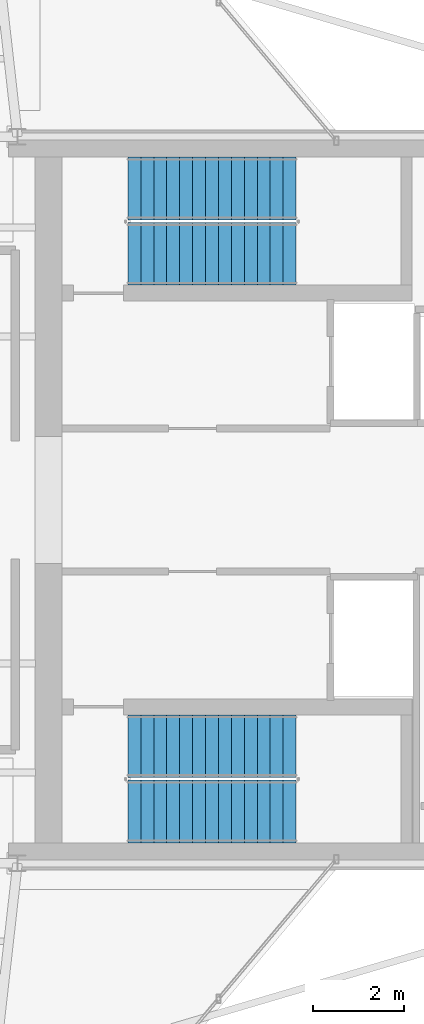
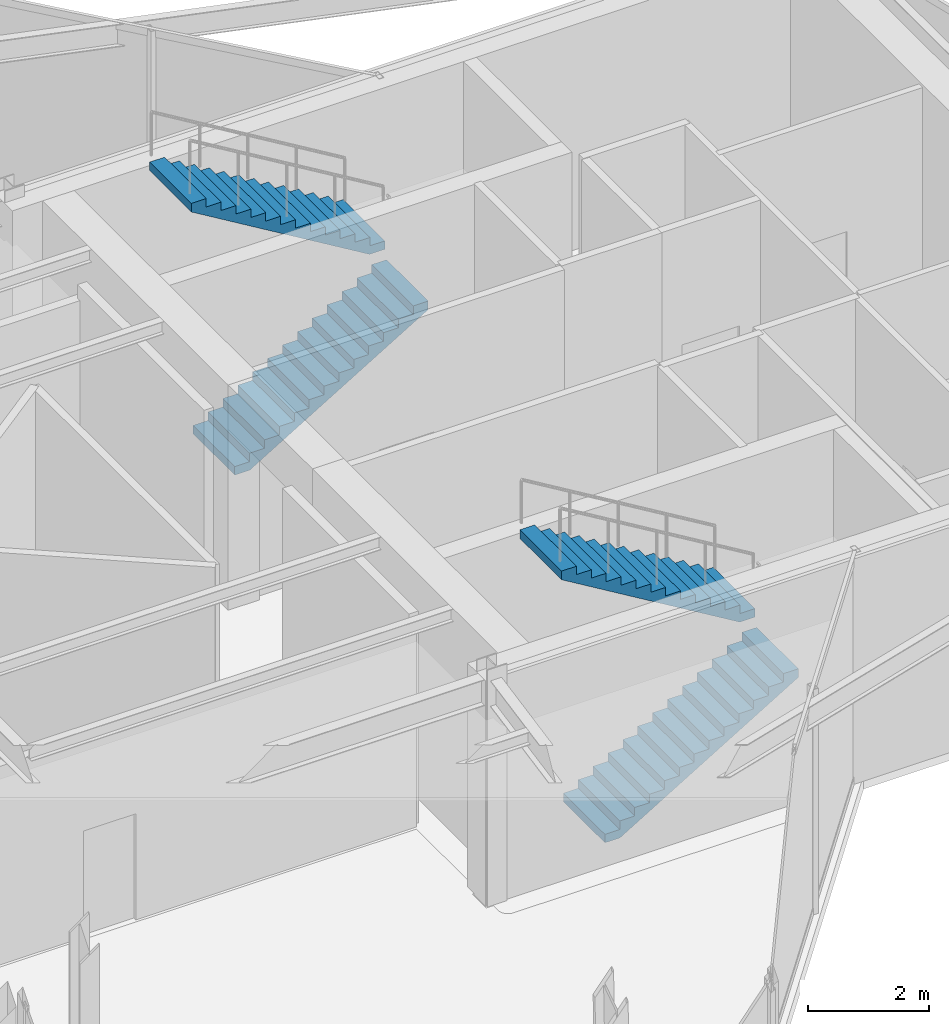
# One storey, part 11 of 15: 4 stair flights, 2 elements without a shape of their own.
"""IFC4 building model written with IfcOpenShell, lengths in metres."""

from ifc_helpers import new_model, si_unit, direction, frame, origin, place, context, subcontext, project, spatial, polyline, outline, extrude, material, type_object, element, aggregate, save


model = new_model("IFC4")

# Units and contexts
model_context = context("Model", 3, precision=1e-05, world=origin(), true_north=direction((0.0, 1.0)))
body_context = subcontext(model_context, "Body", "Model", "MODEL_VIEW")
ifc_project = project(units=[si_unit("LENGTHUNIT", "METRE"), si_unit("AREAUNIT", "SQUARE_METRE"), si_unit("VOLUMEUNIT", "CUBIC_METRE"), si_unit("PLANEANGLEUNIT", "RADIAN"), si_unit("MASSUNIT", "GRAM", prefix="KILO")], contexts=[model_context])

# Site, building, storey
site_placement = place(None, origin())
site = spatial("IfcSite", under=ifc_project, at=site_placement, CompositionType="ELEMENT")
building_placement = place(site_placement, origin())
building = spatial("IfcBuilding", under=site, at=building_placement, Name="Veymaron Broadcast Tower", CompositionType="ELEMENT")
storey_placement = place(building_placement, frame((0.0, 0.0, 262.050048828125)))
storey = spatial("IfcBuildingStorey", under=building, at=storey_placement, Name="L61", CompositionType="ELEMENT", Elevation=262.050048828125)

# Stair, stair flights
ifc_material_1 = material(Name="Concrete C50/60", Category="concrete")
stair_type_1 = type_object("IfcStairType", Name="STAIR-CORE-1", PredefinedType="HALF_TURN_STAIR", material=ifc_material_1)
stair_1_placement = place(storey_placement, origin())
stair_1 = element("IfcStair", 1, at=stair_1_placement, inside=storey, type_object=stair_type_1, Name="L61 North protected dog-leg exit stair ST1", PredefinedType="HALF_TURN_STAIR")
ifc_material_2 = material(Name="Precast concrete C50/60", Category="concrete")
stair_flight_type = type_object("IfcStairFlightType", Name="FLT-CORE-RC", PredefinedType="STRAIGHT", material=ifc_material_2)
stair_flight_1_placement = place(storey_placement, frame((41.429931640625, 29.419921875, 0.0), z_axis=(0.0, 0.0, 1.0), x_axis=(1.0, 0.0, 0.0)))
stair_flight_1 = element("IfcStairFlight", 2, at=stair_flight_1_placement, type_object=stair_flight_type, Name="ST1 flight 1", NumberOfRisers=14, NumberOfTreads=13, PredefinedType="STRAIGHT", RiserHeight=0.171428571, TreadLength=0.285, context=body_context, shape_type="SweptSolid", body=[
    extrude(outline(polyline([(0.0, 0.0), (0.0, 0.17138671875), (0.284912109375, 0.17138671875), (0.284912109375, 0.3427734375), (0.570068359375, 0.3427734375), (0.570068359375, 0.514404296875), (0.85498046875, 0.514404296875), (0.85498046875, 0.685791015625), (1.139892578125, 0.685791015625), (1.139892578125, 0.857177734375), (1.425048828125, 0.857177734375), (1.425048828125, 1.028564453125), (1.7099609375, 1.028564453125), (1.7099609375, 1.199951171875), (1.9951171875, 1.199951171875), (1.9951171875, 1.371337890625), (2.280029296875, 1.371337890625), (2.280029296875, 1.54296875), (2.56494140625, 1.54296875), (2.56494140625, 1.71435546875), (2.85009765625, 1.71435546875), (2.85009765625, 1.8857421875), (3.135009765625, 1.8857421875), (3.135009765625, 2.05712890625), (3.419921875, 2.05712890625), (3.419921875, 2.228515625), (3.705078125, 2.228515625), (3.705078125, 2.39990234375), (3.705078125, 2.0537109375), (0.290771484375, 0.0), (0.0, 0.0)])), frame((0.0, 0.68994140625, 0.0), z_axis=(0.0, -1.0, 0.0), x_axis=(1.0, 0.0, 0.0)), (0.0, 0.0, 1.0), 1.3798828125),
])
stair_flight_2_placement = place(storey_placement, frame((45.135009765625, 30.860107421875, 2.39990234375), z_axis=(0.0, 0.0, 1.0), x_axis=(-1.0, 0.0, 0.0)))
stair_flight_2 = element("IfcStairFlight", 3, at=stair_flight_2_placement, type_object=stair_flight_type, Name="ST1 flight 2", NumberOfRisers=14, NumberOfTreads=13, PredefinedType="STRAIGHT", RiserHeight=0.171428571, TreadLength=0.285, context=body_context, shape_type="SweptSolid", body=[
    extrude(outline(polyline([(0.0, 0.0), (0.0, 0.17138671875), (0.284912109375, 0.17138671875), (0.284912109375, 0.3427734375), (0.570068359375, 0.3427734375), (0.570068359375, 0.514404296875), (0.85498046875, 0.514404296875), (0.85498046875, 0.685791015625), (1.139892578125, 0.685791015625), (1.139892578125, 0.857177734375), (1.425048828125, 0.857177734375), (1.425048828125, 1.028564453125), (1.7099609375, 1.028564453125), (1.7099609375, 1.199951171875), (1.9951171875, 1.199951171875), (1.9951171875, 1.371337890625), (2.280029296875, 1.371337890625), (2.280029296875, 1.54296875), (2.56494140625, 1.54296875), (2.56494140625, 1.71435546875), (2.85009765625, 1.71435546875), (2.85009765625, 1.8857421875), (3.135009765625, 1.8857421875), (3.135009765625, 2.05712890625), (3.419921875, 2.05712890625), (3.419921875, 2.228515625), (3.705078125, 2.228515625), (3.705078125, 2.39990234375), (3.705078125, 2.0537109375), (0.290771484375, 0.0), (0.0, 0.0)])), frame((0.0, 0.68994140625, 0.0), z_axis=(0.0, -1.0, 0.0), x_axis=(1.0, 0.0, 0.0)), (0.0, 0.0, 1.0), 1.3798828125),
])
aggregate(stair_1, [stair_flight_1, stair_flight_2])

stair_type_2 = type_object("IfcStairType", Name="STAIR-CORE-2", PredefinedType="HALF_TURN_STAIR", material=ifc_material_1)
stair_2_placement = place(storey_placement, origin())
stair_2 = element("IfcStair", 4, at=stair_2_placement, inside=storey, type_object=stair_type_2, Name="L61 South protected dog-leg exit stair ST2", PredefinedType="HALF_TURN_STAIR")
stair_flight_3_placement = place(storey_placement, frame((41.429931640625, 17.139892578125, 0.0), z_axis=(0.0, 0.0, 1.0), x_axis=(1.0, 0.0, 0.0)))
stair_flight_3 = element("IfcStairFlight", 5, at=stair_flight_3_placement, type_object=stair_flight_type, Name="ST2 flight 1", NumberOfRisers=14, NumberOfTreads=13, PredefinedType="STRAIGHT", RiserHeight=0.171428571, TreadLength=0.285, context=body_context, shape_type="SweptSolid", body=[
    extrude(outline(polyline([(0.0, 0.0), (0.0, 0.17138671875), (0.284912109375, 0.17138671875), (0.284912109375, 0.3427734375), (0.570068359375, 0.3427734375), (0.570068359375, 0.514404296875), (0.85498046875, 0.514404296875), (0.85498046875, 0.685791015625), (1.139892578125, 0.685791015625), (1.139892578125, 0.857177734375), (1.425048828125, 0.857177734375), (1.425048828125, 1.028564453125), (1.7099609375, 1.028564453125), (1.7099609375, 1.199951171875), (1.9951171875, 1.199951171875), (1.9951171875, 1.371337890625), (2.280029296875, 1.371337890625), (2.280029296875, 1.54296875), (2.56494140625, 1.54296875), (2.56494140625, 1.71435546875), (2.85009765625, 1.71435546875), (2.85009765625, 1.8857421875), (3.135009765625, 1.8857421875), (3.135009765625, 2.05712890625), (3.419921875, 2.05712890625), (3.419921875, 2.228515625), (3.705078125, 2.228515625), (3.705078125, 2.39990234375), (3.705078125, 2.0537109375), (0.290771484375, 0.0), (0.0, 0.0)])), frame((0.0, 0.68994140625, 0.0), z_axis=(0.0, -1.0, 0.0), x_axis=(1.0, 0.0, 0.0)), (0.0, 0.0, 1.0), 1.3798828125),
])
stair_flight_4_placement = place(storey_placement, frame((45.135009765625, 18.580078125, 2.39990234375), z_axis=(0.0, 0.0, 1.0), x_axis=(-1.0, 0.0, 0.0)))
stair_flight_4 = element("IfcStairFlight", 6, at=stair_flight_4_placement, type_object=stair_flight_type, Name="ST2 flight 2", NumberOfRisers=14, NumberOfTreads=13, PredefinedType="STRAIGHT", RiserHeight=0.171428571, TreadLength=0.285, context=body_context, shape_type="SweptSolid", body=[
    extrude(outline(polyline([(0.0, 0.0), (0.0, 0.17138671875), (0.284912109375, 0.17138671875), (0.284912109375, 0.3427734375), (0.570068359375, 0.3427734375), (0.570068359375, 0.514404296875), (0.85498046875, 0.514404296875), (0.85498046875, 0.685791015625), (1.139892578125, 0.685791015625), (1.139892578125, 0.857177734375), (1.425048828125, 0.857177734375), (1.425048828125, 1.028564453125), (1.7099609375, 1.028564453125), (1.7099609375, 1.199951171875), (1.9951171875, 1.199951171875), (1.9951171875, 1.371337890625), (2.280029296875, 1.371337890625), (2.280029296875, 1.54296875), (2.56494140625, 1.54296875), (2.56494140625, 1.71435546875), (2.85009765625, 1.71435546875), (2.85009765625, 1.8857421875), (3.135009765625, 1.8857421875), (3.135009765625, 2.05712890625), (3.419921875, 2.05712890625), (3.419921875, 2.228515625), (3.705078125, 2.228515625), (3.705078125, 2.39990234375), (3.705078125, 2.0537109375), (0.290771484375, 0.0), (0.0, 0.0)])), frame((0.0, 0.68994140625, 0.0), z_axis=(0.0, -1.0, 0.0), x_axis=(1.0, 0.0, 0.0)), (0.0, 0.0, 1.0), 1.3798828125),
])
aggregate(stair_2, [stair_flight_3, stair_flight_4])

save(model, "model.ifc")
